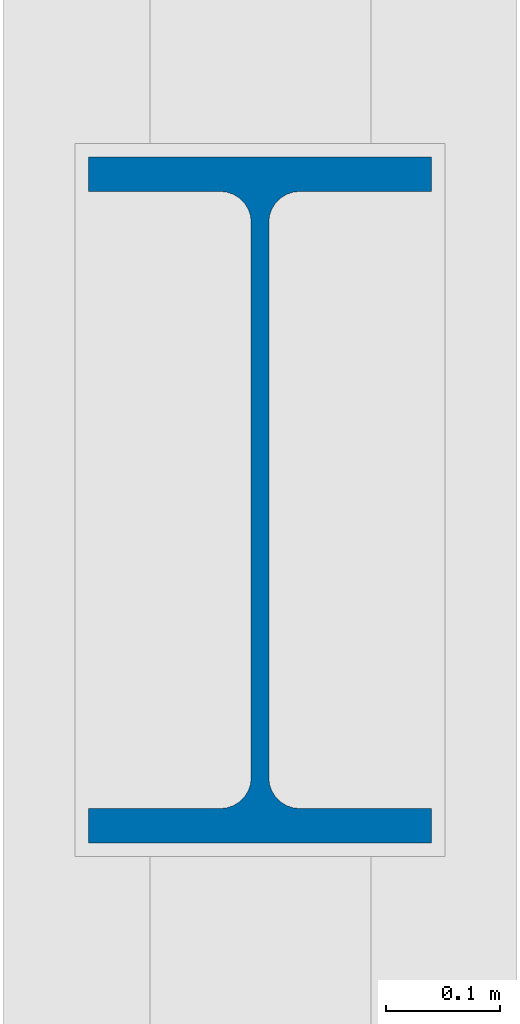
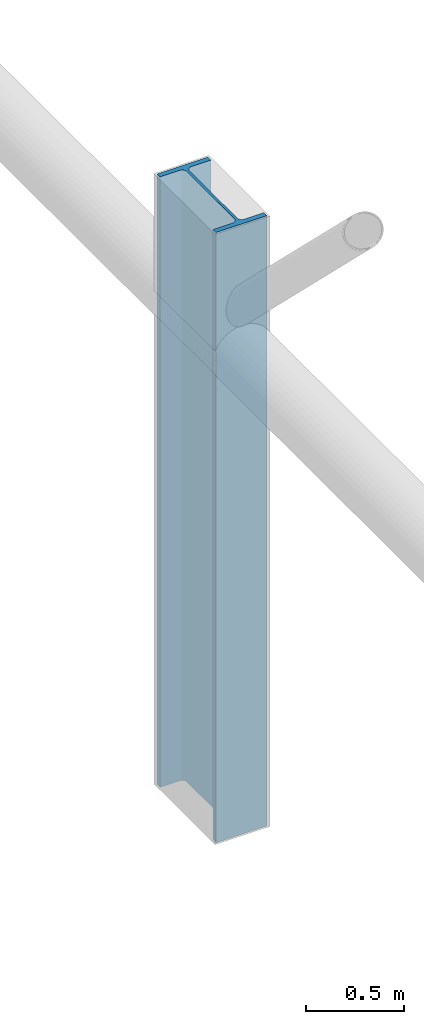
# One storey, part 11 of 116: 1 column.
"""IFC4 building model written with IfcOpenShell, lengths in metres."""

import ifcopenshell
import ifcopenshell.guid

model = None  # the IFC model being written
_history = None  # IfcOwnerHistory: only IFC2X3 demands one
_inside = {}  # id of a spatial element -> (the spatial element, [elements in it])
_under = {}  # id of a project, library or spatial element -> (it, [spatial elements below it])
_declared = {}  # id of a project -> (the project, [libraries it declares])
_typed = {}  # id of a type object -> (the type object, [elements of that type])
_made_of = {}  # id of a material, layer set ... -> (it, [elements and type objects made of it])


def new_model(schema):
    """Start an empty IFC model of exactly this schema.

    Asked for "IFC4X3", IfcOpenShell would pick the latest addendum, in which some entities
    have other attributes; the version numbers below select the first issue.
    IFC2X3 requires an IfcOwnerHistory on every rooted entity: one is made here for all.
    """
    global model, _history
    if schema == "IFC4X3":
        model = ifcopenshell.file(schema_version=(4, 3, 0, 0))
    else:
        model = ifcopenshell.file(schema=schema)
    _inside.clear()
    _under.clear()
    _declared.clear()
    _typed.clear()
    _made_of.clear()
    _history = None
    if model.schema == "IFC2X3":
        org = make("IfcOrganization", Name="unknown")
        user = make(
            "IfcPersonAndOrganization",
            ThePerson=make("IfcPerson", FamilyName="unknown"),
            TheOrganization=org,
        )
        app = make(
            "IfcApplication",
            ApplicationDeveloper=org,
            Version="unknown",
            ApplicationFullName="unknown",
            ApplicationIdentifier="unknown",
        )
        _history = make(
            "IfcOwnerHistory",
            OwningUser=user,
            OwningApplication=app,
            ChangeAction="ADDED",
            CreationDate=0,
        )
    return model


def make(cls, **values):
    """One entity of the class cls with the attributes given. An attribute that is None is left unset."""
    return model.create_entity(
        cls, **{name: value for name, value in values.items() if value is not None}
    )


def rooted(cls, **values):
    """An entity with a GlobalId (a new one), such as an element, a storey or a relation."""
    return make(cls, GlobalId=ifcopenshell.guid.new(), OwnerHistory=_history, **values)


def si_unit(unit_type, name, prefix=None):
    """IfcSIUnit, for example si_unit("LENGTHUNIT", "METRE", prefix="MILLI")."""
    return make("IfcSIUnit", UnitType=unit_type, Prefix=prefix, Name=name)


def assignment(units):
    """IfcUnitAssignment: the units of a project."""
    return None if units is None else make("IfcUnitAssignment", Units=units)


def point(xyz):
    """IfcCartesianPoint."""
    return None if xyz is None else make("IfcCartesianPoint", Coordinates=xyz)


def direction(xyz):
    """IfcDirection."""
    return None if xyz is None else make("IfcDirection", DirectionRatios=xyz)


def frame(location, z_axis=None, x_axis=None):
    """IfcAxis2Placement3D, a coordinate frame: its origin and axes. An axis left out is left unset."""
    return make(
        "IfcAxis2Placement3D",
        Location=point(location),
        Axis=direction(z_axis),
        RefDirection=direction(x_axis),
    )


def frame_2d(location, x_axis=None):
    """IfcAxis2Placement2D, a coordinate frame in the plane: its origin and x axis."""
    return make(
        "IfcAxis2Placement2D", Location=point(location), RefDirection=direction(x_axis)
    )


def origin():
    """The frame at (0, 0, 0) with its axes left unset."""
    return frame((0.0, 0.0, 0.0))


def origin_2d():
    """The frame at (0, 0) in the plane with its x axis left unset."""
    return frame_2d((0.0, 0.0))


def place(relative_to, where):
    """IfcLocalPlacement: puts the frame where relative to a parent placement (None: the world)."""
    return make(
        "IfcLocalPlacement", PlacementRelTo=relative_to, RelativePlacement=where
    )


def context(
    kind, dimensions, precision=None, world=None, true_north=None, identifier=None
):
    """IfcGeometricRepresentationContext, for example the 3D "Model" context."""
    return make(
        "IfcGeometricRepresentationContext",
        ContextIdentifier=identifier,
        ContextType=kind,
        CoordinateSpaceDimension=dimensions,
        Precision=precision,
        WorldCoordinateSystem=world,
        TrueNorth=true_north,
    )


def subcontext(parent, identifier, kind, view, scale=None):
    """IfcGeometricRepresentationSubContext, for example "Body" below "Model"."""
    return make(
        "IfcGeometricRepresentationSubContext",
        ContextIdentifier=identifier,
        ContextType=kind,
        ParentContext=parent,
        TargetScale=scale,
        TargetView=view,
    )


def project(units=None, contexts=None):
    """IfcProject with its units and contexts."""
    return rooted(
        "IfcProject",
        Name="project",
        RepresentationContexts=contexts,
        UnitsInContext=assignment(units),
    )


def spatial(cls, under=None, at=None, **own):
    """A site, building, storey or space (cls), placed at a placement, below another one or the project."""
    s = rooted(cls, ObjectPlacement=at, **own)
    if under is not None:
        _under.setdefault(under.id(), (under, []))[1].append(s)
    return s


def profile(cls, at=None, kind="AREA", **sizes):
    """A parametric profile (cls). Its sizes go by their IFC names, for example OverallWidth=200.0."""
    return make(cls, ProfileType=kind, Position=at, **sizes)


def i_section(**sizes):
    """IfcIShapeProfileDef."""
    return profile("IfcIShapeProfileDef", **sizes)


def extrude(swept, where, along, depth):
    """IfcExtrudedAreaSolid: the profile swept, set in the frame where, extruded along a direction by depth."""
    return make(
        "IfcExtrudedAreaSolid",
        SweptArea=swept,
        Position=where,
        ExtrudedDirection=direction(along),
        Depth=depth,
    )


def shape(context_of_items, identifier, shape_type, items):
    """IfcShapeRepresentation: the items that make up one representation, for example the "Body"."""
    return make(
        "IfcShapeRepresentation",
        ContextOfItems=context_of_items,
        RepresentationIdentifier=identifier,
        RepresentationType=shape_type,
        Items=items,
    )


def material(Name=None, Category=None):
    """IfcMaterial."""
    return make("IfcMaterial", Name=Name, Category=Category)


def material_profile(
    of_material, cross_section, Name=None, Category=None, Priority=None
):
    """IfcMaterialProfile: a cross section and its material."""
    return make(
        "IfcMaterialProfile",
        Name=Name,
        Material=of_material,
        Profile=cross_section,
        Priority=Priority,
        Category=Category,
    )


def profile_set(profiles, Name=None, composite=None):
    """IfcMaterialProfileSet."""
    return make(
        "IfcMaterialProfileSet",
        Name=Name,
        MaterialProfiles=profiles,
        CompositeProfile=composite,
    )


def made_of(thing, what):
    """Note that an element or type object is made of a material, layer set ...; save() writes the relation."""
    if what is not None:
        _made_of.setdefault(what.id(), (what, []))[1].append(thing)
    return thing


def type_object(cls, material=None, **own):
    """A type object (cls), such as IfcWallType, which elements share."""
    return made_of(rooted(cls, **own), material)


def element(
    cls,
    number,
    at=None,
    inside=None,
    cuts=None,
    type_object=None,
    material=None,
    context=None,
    identifier="Body",
    shape_type=None,
    held_by="IfcProductDefinitionShape",
    body=None,
    shapes=None,
    **own,
):
    """One element of the class cls, such as IfcWall. Its Tag is "e" and its number.

    at: its placement. inside: the storey or other place that contains it. cuts: it is an
    opening in that element (IfcRelVoidsElement). A single representation is given by context,
    identifier, shape_type and body (its items); several are given by shapes. held_by: the class
    of the entity that holds the representations. save() writes the other relations.
    """
    e = rooted(cls, Tag="e%d" % number, ObjectPlacement=at, **own)
    if body is not None:
        shapes = [shape(context, identifier, shape_type, body)]
    if shapes is not None:
        e.Representation = make(held_by, Representations=shapes)
    if inside is not None:
        _inside.setdefault(inside.id(), (inside, []))[1].append(e)
    if cuts is not None:
        rooted(
            "IfcRelVoidsElement", RelatingBuildingElement=cuts, RelatedOpeningElement=e
        )
    if type_object is not None:
        _typed.setdefault(type_object.id(), (type_object, []))[1].append(e)
    return made_of(e, material)


def aggregate(whole, parts):
    """IfcRelAggregates: a whole, such as a stair, and the parts it consists of."""
    return rooted("IfcRelAggregates", RelatingObject=whole, RelatedObjects=parts)


def save(model, path):
    """Write the relations noted so far, then the file.

    IfcRelAggregates (storeys below a building ...), IfcRelContainedInSpatialStructure (elements
    in a storey), IfcRelDefinesByType, IfcRelAssociatesMaterial and IfcRelDeclares: one each for
    every whole, place, type object, material and project.
    """
    for whole, parts in _under.values():
        aggregate(whole, parts)
    for where, things in _inside.values():
        rooted(
            "IfcRelContainedInSpatialStructure",
            RelatedElements=things,
            RelatingStructure=where,
        )
    for kind, things in _typed.values():
        rooted("IfcRelDefinesByType", RelatedObjects=things, RelatingType=kind)
    for what, things in _made_of.values():
        rooted("IfcRelAssociatesMaterial", RelatedObjects=things, RelatingMaterial=what)
    for by, libraries in _declared.values():
        rooted("IfcRelDeclares", RelatingContext=by, RelatedDefinitions=libraries)
    model.write(path)


model = new_model("IFC4")

# Units and contexts
model_context = context("Model", 3, precision=1e-05, world=origin(), true_north=direction((0.0, 1.0)))
body_context = subcontext(model_context, "Body", "Model", "MODEL_VIEW")
ifc_project = project(units=[si_unit("LENGTHUNIT", "METRE"), si_unit("AREAUNIT", "SQUARE_METRE"), si_unit("VOLUMEUNIT", "CUBIC_METRE"), si_unit("PLANEANGLEUNIT", "RADIAN"), si_unit("MASSUNIT", "GRAM", prefix="KILO")], contexts=[model_context])

# Site, building, storey
site_placement = place(None, origin())
site = spatial("IfcSite", under=ifc_project, at=site_placement, CompositionType="ELEMENT")
building_placement = place(site_placement, origin())
building = spatial("IfcBuilding", under=site, at=building_placement, Name="Cendralis Lancet Convention Centre", CompositionType="ELEMENT")
storey_placement = place(building_placement, frame((0.0, 0.0, 15.0)))
storey = spatial("IfcBuildingStorey", under=building, at=storey_placement, Name="L03", CompositionType="ELEMENT", Elevation=15.0)

# Column
ifc_material = material(Name="Steel S355", Category="steel")
ifc_material_profile = material_profile(ifc_material, i_section(OverallWidth=0.300048828125, OverallDepth=0.60009765625, WebThickness=0.015380859375, FlangeThickness=0.030029296875, FilletRadius=0.027099609375, at=origin_2d()), Name="HEB 600")
ifc_profile_set = profile_set([ifc_material_profile], Name="Steel S355")
column_type = type_object("IfcColumnType", Name="STR-COL-C21", PredefinedType="COLUMN", material=ifc_profile_set)
column_placement = place(storey_placement, frame((208.800048828125, 122.39990234375, 0.0), z_axis=(0.0, 0.0, 1.0), x_axis=(1.0, 0.0, 0.0)))
element("IfcColumn", 1, at=column_placement, inside=storey, type_object=column_type, Name="L03 Column C21 at 208.8,122.4", PredefinedType="COLUMN", context=body_context, shape_type="SweptSolid", body=[
    extrude(i_section(OverallWidth=0.300048828125, OverallDepth=0.60009765625, WebThickness=0.015380859375, FlangeThickness=0.030029296875, FilletRadius=0.027099609375, at=origin_2d()), origin(), (0.0, 0.0, 1.0), 3.800048828125),
])

save(model, "model.ifc")
